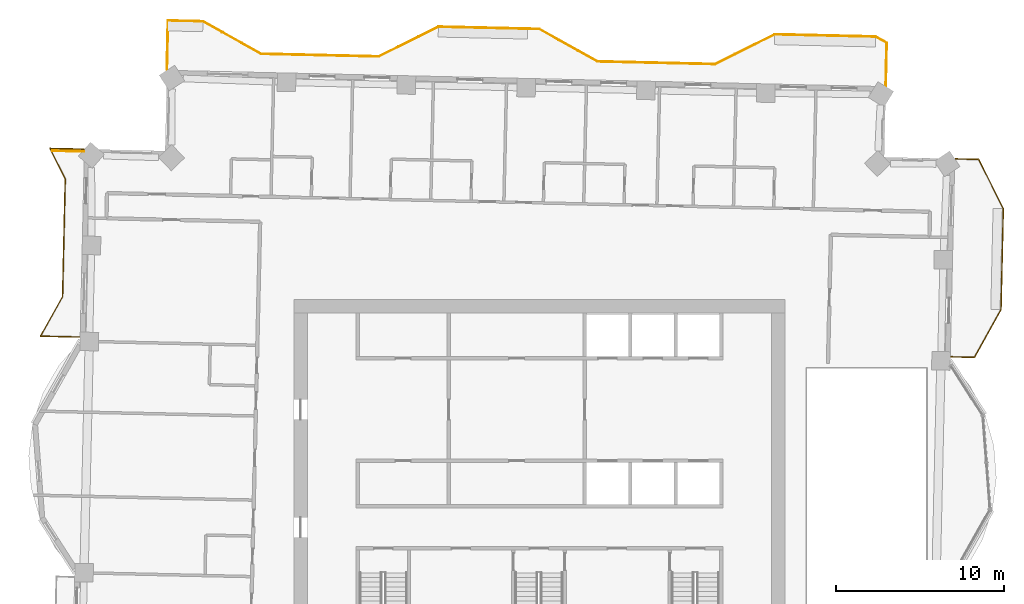
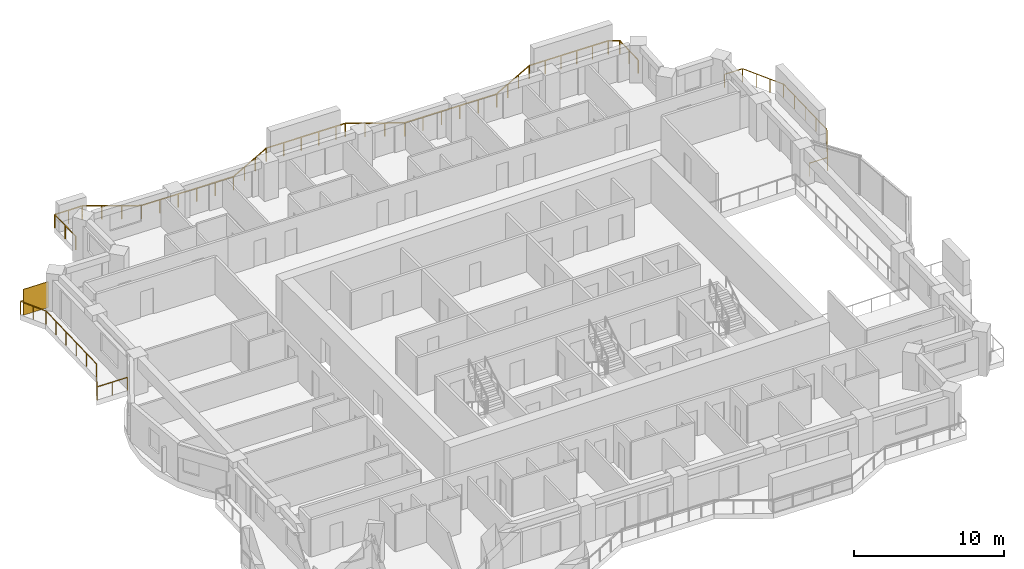
# One storey, part 14 of 14: 3 railings, 1 shading device.
"""IFC4 building model written with IfcOpenShell, lengths in metres."""

from ifc_helpers import new_model, si_unit, direction, frame, origin, origin_2d, place, context, subcontext, project, spatial, rectangle, extrude, material, type_object, element, save


model = new_model("IFC4")

# Units and contexts
model_context = context("Model", 3, precision=1e-05, world=origin(), true_north=direction((0.0, 1.0)))
body_context = subcontext(model_context, "Body", "Model", "MODEL_VIEW")
ifc_project = project(units=[si_unit("LENGTHUNIT", "METRE"), si_unit("AREAUNIT", "SQUARE_METRE"), si_unit("VOLUMEUNIT", "CUBIC_METRE"), si_unit("PLANEANGLEUNIT", "RADIAN"), si_unit("MASSUNIT", "GRAM", prefix="KILO")], contexts=[model_context])

# Site, building, storey
site_placement = place(None, origin())
site = spatial("IfcSite", under=ifc_project, at=site_placement, CompositionType="ELEMENT")
building_placement = place(site_placement, origin())
building = spatial("IfcBuilding", under=site, at=building_placement, Name="Mangrove Gate Tower", CompositionType="ELEMENT")
storey_placement = place(building_placement, frame((0.0, 0.0, 208.699951171875)))
storey = spatial("IfcBuildingStorey", under=building, at=storey_placement, Name="L53", CompositionType="ELEMENT", Elevation=208.699951171875)

# Railings
ifc_material_1 = material(Name="Stainless steel grade 316 with laminated glass infill", Category="steel")
railing_type = type_object("IfcRailingType", Name="Balcony guard 1100", PredefinedType="GUARDRAIL", material=ifc_material_1)
railing_1_placement = place(storey_placement, frame((24.467041015625, 8.18603515625, 0.0)))
element("IfcRailing", 1, at=railing_1_placement, inside=storey, type_object=railing_type, Name="GUARD L53 E2", PredefinedType="GUARDRAIL", context=body_context, shape_type="SweptSolid", body=[
    extrude(rectangle(XDim=0.048095703125, YDim=0.048095703125, at=origin_2d()), frame((0.0, 0.0, 1.076171875), z_axis=(0.999735358589, -0.023004625325, 0.0), x_axis=(0.023004625325, 0.999735358589, 0.0)), (0.0, 0.0, 1.0), 1.390380859375),
    extrude(rectangle(XDim=0.048095703125, YDim=0.048095703125, at=origin_2d()), frame((1.389892578125, -0.031982421875, 1.076171875), z_axis=(0.487121176966, 0.873334391256, 0.0), x_axis=(-0.873334391256, 0.487121176966, 0.0)), (0.0, 0.0, 1.0), 3.251708984375),
    extrude(rectangle(XDim=0.048095703125, YDim=0.048095703125, at=origin_2d()), frame((2.973876953125, 2.807861328125, 1.076171875), z_axis=(0.022828630714, 0.999739392852, 0.0), x_axis=(-0.999739392852, 0.022828630714, 0.0)), (0.0, 0.0, 1.0), 5.99951171875),
    extrude(rectangle(XDim=0.048095703125, YDim=0.048095703125, at=origin_2d()), frame((3.11083984375, 8.805908203125, 1.076171875), z_axis=(-0.447154053357, 0.894456959594, 0.0), x_axis=(-0.894456959594, -0.447154053357, 0.0)), (0.0, 0.0, 1.0), 3.2802734375),
    extrude(rectangle(XDim=0.048095703125, YDim=0.048095703125, at=origin_2d()), frame((1.64404296875, 11.739990234375, 1.076171875), z_axis=(-0.999746662088, 0.022508035115, 0.0), x_axis=(-0.022508035115, -0.999746662088, 0.0)), (0.0, 0.0, 1.0), 1.37744140625),
    extrude(rectangle(XDim=0.0419921875, YDim=0.0419921875, at=origin_2d()), origin(), (0.0, 0.0, 1.0), 1.052001953125),
    extrude(rectangle(XDim=0.0419921875, YDim=0.0419921875, at=origin_2d()), frame((1.389892578125, -0.031982421875, 0.0)), (0.0, 0.0, 1.0), 1.052001953125),
    extrude(rectangle(XDim=0.0419921875, YDim=0.0419921875, at=origin_2d()), frame((1.91796875, 0.91455078125, 0.0)), (0.0, 0.0, 1.0), 1.052001953125),
    extrude(rectangle(XDim=0.0419921875, YDim=0.0419921875, at=origin_2d()), frame((2.44580078125, 1.861328125, 0.0)), (0.0, 0.0, 1.0), 1.052001953125),
    extrude(rectangle(XDim=0.0419921875, YDim=0.0419921875, at=origin_2d()), frame((2.973876953125, 2.807861328125, 0.0)), (0.0, 0.0, 1.0), 1.052001953125),
    extrude(rectangle(XDim=0.0419921875, YDim=0.0419921875, at=origin_2d()), frame((3.008056640625, 4.307373046875, 0.0)), (0.0, 0.0, 1.0), 1.052001953125),
    extrude(rectangle(XDim=0.0419921875, YDim=0.0419921875, at=origin_2d()), frame((3.04248046875, 5.806884765625, 0.0)), (0.0, 0.0, 1.0), 1.052001953125),
    extrude(rectangle(XDim=0.0419921875, YDim=0.0419921875, at=origin_2d()), frame((3.07666015625, 7.306396484375, 0.0)), (0.0, 0.0, 1.0), 1.052001953125),
    extrude(rectangle(XDim=0.0419921875, YDim=0.0419921875, at=origin_2d()), frame((3.11083984375, 8.805908203125, 0.0)), (0.0, 0.0, 1.0), 1.052001953125),
    extrude(rectangle(XDim=0.0419921875, YDim=0.0419921875, at=origin_2d()), frame((2.621826171875, 9.783935546875, 0.0)), (0.0, 0.0, 1.0), 1.052001953125),
    extrude(rectangle(XDim=0.0419921875, YDim=0.0419921875, at=origin_2d()), frame((2.133056640625, 10.761962890625, 0.0)), (0.0, 0.0, 1.0), 1.052001953125),
    extrude(rectangle(XDim=0.0419921875, YDim=0.0419921875, at=origin_2d()), frame((1.64404296875, 11.739990234375, 0.0)), (0.0, 0.0, 1.0), 1.052001953125),
    extrude(rectangle(XDim=0.0419921875, YDim=0.0419921875, at=origin_2d()), frame((0.266845703125, 11.77099609375, 0.0)), (0.0, 0.0, 1.0), 1.052001953125),
])
railing_2_placement = place(storey_placement, frame((20.591064453125, 24.2919921875, 0.0)))
element("IfcRailing", 2, at=railing_2_placement, inside=storey, type_object=railing_type, Name="GUARD L53 N1", PredefinedType="GUARDRAIL", context=body_context, shape_type="SweptSolid", body=[
    extrude(rectangle(XDim=0.048095703125, YDim=0.048095703125, at=origin_2d()), frame((0.0, 0.0, 1.076171875), z_axis=(0.022649765825, 0.999743461148, 0.0), x_axis=(-0.999743461148, 0.022649765825, 0.0)), (0.0, 0.0, 1.0), 2.5546875),
    extrude(rectangle(XDim=0.048095703125, YDim=0.048095703125, at=origin_2d()), frame((0.057861328125, 2.553955078125, 1.076171875), z_axis=(-0.872560814271, 0.488505501912, 0.0), x_axis=(-0.488505501912, -0.872560814271, 0.0)), (0.0, 0.0, 1.0), 0.759765625),
    extrude(rectangle(XDim=0.048095703125, YDim=0.048095703125, at=origin_2d()), frame((-0.60498046875, 2.925048828125, 1.076171875), z_axis=(-0.999743178102, 0.022662255828, 0.0), x_axis=(-0.022662255828, -0.999743178102, 0.0)), (0.0, 0.0, 1.0), 6.00048828125),
    extrude(rectangle(XDim=0.048095703125, YDim=0.048095703125, at=origin_2d()), frame((-6.60400390625, 3.06103515625, 1.076171875), z_axis=(-0.894476522376, -0.447114919141, 0.0), x_axis=(0.447114919141, -0.894476522376, 0.0)), (0.0, 0.0, 1.0), 3.958740234375),
    extrude(rectangle(XDim=0.048095703125, YDim=0.048095703125, at=origin_2d()), frame((-10.14501953125, 1.291015625, 1.076171875), z_axis=(-0.999742195543, 0.022705559911, 0.0), x_axis=(-0.022705559911, -0.999742195543, 0.0)), (0.0, 0.0, 1.0), 6.999755859375),
    extrude(rectangle(XDim=0.048095703125, YDim=0.048095703125, at=origin_2d()), frame((-17.14306640625, 1.449951171875, 1.076171875), z_axis=(-0.87325689943, 0.48726008209, 0.0), x_axis=(-0.48726008209, -0.87325689943, 0.0)), (0.0, 0.0, 1.0), 3.958740234375),
    extrude(rectangle(XDim=0.048095703125, YDim=0.048095703125, at=origin_2d()), frame((-20.60009765625, 3.37890625, 1.076171875), z_axis=(-0.999766253184, 0.02162033753, 0.0), x_axis=(-0.02162033753, -0.999766253184, 0.0)), (0.0, 0.0, 1.0), 0.7001953125),
    extrude(rectangle(XDim=0.048095703125, YDim=0.048095703125, at=origin_2d()), frame((-21.300048828125, 3.39404296875, 1.076171875), z_axis=(-0.999740049023, 0.022799876723, 0.0), x_axis=(-0.022799876723, -0.999740049023, 0.0)), (0.0, 0.0, 1.0), 5.300537109375),
    extrude(rectangle(XDim=0.048095703125, YDim=0.048095703125, at=origin_2d()), frame((-26.59912109375, 3.514892578125, 1.076171875), z_axis=(-0.894501186021, -0.447065574839, 0.0), x_axis=(0.447065574839, -0.894501186021, 0.0)), (0.0, 0.0, 1.0), 3.958740234375),
    extrude(rectangle(XDim=0.048095703125, YDim=0.048095703125, at=origin_2d()), frame((-30.14013671875, 1.7451171875, 1.076171875), z_axis=(-0.999745352708, 0.022566119286, 0.0), x_axis=(-0.022566119286, -0.999745352708, 0.0)), (0.0, 0.0, 1.0), 6.999755859375),
    extrude(rectangle(XDim=0.048095703125, YDim=0.048095703125, at=origin_2d()), frame((-37.13818359375, 1.903076171875, 1.076171875), z_axis=(-0.873242256246, 0.487286324359, 0.0), x_axis=(-0.487286324359, -0.873242256246, 0.0)), (0.0, 0.0, 1.0), 3.95849609375),
    extrude(rectangle(XDim=0.048095703125, YDim=0.048095703125, at=origin_2d()), frame((-40.594970703125, 3.83203125, 1.076171875), z_axis=(-0.999744201853, 0.022617048045, 0.0), x_axis=(-0.022617048045, -0.999744201853, 0.0)), (0.0, 0.0, 1.0), 2.072509765625),
    extrude(rectangle(XDim=0.048095703125, YDim=0.048095703125, at=origin_2d()), frame((-42.6669921875, 3.87890625, 1.076171875), z_axis=(-0.022403104328, -0.999749018963, 0.0), x_axis=(0.999749018963, -0.022403104328, 0.0)), (0.0, 0.0, 1.0), 2.90966796875),
    extrude(rectangle(XDim=0.0419921875, YDim=0.0419921875, at=origin_2d()), origin(), (0.0, 0.0, 1.0), 1.052001953125),
    extrude(rectangle(XDim=0.0419921875, YDim=0.0419921875, at=origin_2d()), frame((0.02880859375, 1.27685546875, 0.0)), (0.0, 0.0, 1.0), 1.052001953125),
    extrude(rectangle(XDim=0.0419921875, YDim=0.0419921875, at=origin_2d()), frame((0.057861328125, 2.553955078125, 0.0)), (0.0, 0.0, 1.0), 1.052001953125),
    extrude(rectangle(XDim=0.0419921875, YDim=0.0419921875, at=origin_2d()), frame((-0.60498046875, 2.925048828125, 0.0)), (0.0, 0.0, 1.0), 1.052001953125),
    extrude(rectangle(XDim=0.0419921875, YDim=0.0419921875, at=origin_2d()), frame((-1.8046875, 2.9521484375, 0.0)), (0.0, 0.0, 1.0), 1.052001953125),
    extrude(rectangle(XDim=0.0419921875, YDim=0.0419921875, at=origin_2d()), frame((-3.004638671875, 2.9794921875, 0.0)), (0.0, 0.0, 1.0), 1.052001953125),
    extrude(rectangle(XDim=0.0419921875, YDim=0.0419921875, at=origin_2d()), frame((-4.204345703125, 3.006591796875, 0.0)), (0.0, 0.0, 1.0), 1.052001953125),
    extrude(rectangle(XDim=0.0419921875, YDim=0.0419921875, at=origin_2d()), frame((-5.404296875, 3.033935546875, 0.0)), (0.0, 0.0, 1.0), 1.052001953125),
    extrude(rectangle(XDim=0.0419921875, YDim=0.0419921875, at=origin_2d()), frame((-6.60400390625, 3.06103515625, 0.0)), (0.0, 0.0, 1.0), 1.052001953125),
    extrude(rectangle(XDim=0.0419921875, YDim=0.0419921875, at=origin_2d()), frame((-7.784423828125, 2.470947265625, 0.0)), (0.0, 0.0, 1.0), 1.052001953125),
    extrude(rectangle(XDim=0.0419921875, YDim=0.0419921875, at=origin_2d()), frame((-8.964599609375, 1.881103515625, 0.0)), (0.0, 0.0, 1.0), 1.052001953125),
    extrude(rectangle(XDim=0.0419921875, YDim=0.0419921875, at=origin_2d()), frame((-10.14501953125, 1.291015625, 0.0)), (0.0, 0.0, 1.0), 1.052001953125),
    extrude(rectangle(XDim=0.0419921875, YDim=0.0419921875, at=origin_2d()), frame((-11.544677734375, 1.32275390625, 0.0)), (0.0, 0.0, 1.0), 1.052001953125),
    extrude(rectangle(XDim=0.0419921875, YDim=0.0419921875, at=origin_2d()), frame((-12.9443359375, 1.3544921875, 0.0)), (0.0, 0.0, 1.0), 1.052001953125),
    extrude(rectangle(XDim=0.0419921875, YDim=0.0419921875, at=origin_2d()), frame((-14.34375, 1.386474609375, 0.0)), (0.0, 0.0, 1.0), 1.052001953125),
    extrude(rectangle(XDim=0.0419921875, YDim=0.0419921875, at=origin_2d()), frame((-15.743408203125, 1.418212890625, 0.0)), (0.0, 0.0, 1.0), 1.052001953125),
    extrude(rectangle(XDim=0.0419921875, YDim=0.0419921875, at=origin_2d()), frame((-17.14306640625, 1.449951171875, 0.0)), (0.0, 0.0, 1.0), 1.052001953125),
    extrude(rectangle(XDim=0.0419921875, YDim=0.0419921875, at=origin_2d()), frame((-18.29541015625, 2.093017578125, 0.0)), (0.0, 0.0, 1.0), 1.052001953125),
    extrude(rectangle(XDim=0.0419921875, YDim=0.0419921875, at=origin_2d()), frame((-19.44775390625, 2.73583984375, 0.0)), (0.0, 0.0, 1.0), 1.052001953125),
    extrude(rectangle(XDim=0.0419921875, YDim=0.0419921875, at=origin_2d()), frame((-20.60009765625, 3.37890625, 0.0)), (0.0, 0.0, 1.0), 1.052001953125),
    extrude(rectangle(XDim=0.0419921875, YDim=0.0419921875, at=origin_2d()), frame((-21.300048828125, 3.39404296875, 0.0)), (0.0, 0.0, 1.0), 1.052001953125),
    extrude(rectangle(XDim=0.0419921875, YDim=0.0419921875, at=origin_2d()), frame((-22.624755859375, 3.42431640625, 0.0)), (0.0, 0.0, 1.0), 1.052001953125),
    extrude(rectangle(XDim=0.0419921875, YDim=0.0419921875, at=origin_2d()), frame((-23.94970703125, 3.45458984375, 0.0)), (0.0, 0.0, 1.0), 1.052001953125),
    extrude(rectangle(XDim=0.0419921875, YDim=0.0419921875, at=origin_2d()), frame((-25.2744140625, 3.484619140625, 0.0)), (0.0, 0.0, 1.0), 1.052001953125),
    extrude(rectangle(XDim=0.0419921875, YDim=0.0419921875, at=origin_2d()), frame((-26.59912109375, 3.514892578125, 0.0)), (0.0, 0.0, 1.0), 1.052001953125),
    extrude(rectangle(XDim=0.0419921875, YDim=0.0419921875, at=origin_2d()), frame((-27.779541015625, 2.925048828125, 0.0)), (0.0, 0.0, 1.0), 1.052001953125),
    extrude(rectangle(XDim=0.0419921875, YDim=0.0419921875, at=origin_2d()), frame((-28.959716796875, 2.3349609375, 0.0)), (0.0, 0.0, 1.0), 1.052001953125),
    extrude(rectangle(XDim=0.0419921875, YDim=0.0419921875, at=origin_2d()), frame((-30.14013671875, 1.7451171875, 0.0)), (0.0, 0.0, 1.0), 1.052001953125),
    extrude(rectangle(XDim=0.0419921875, YDim=0.0419921875, at=origin_2d()), frame((-31.539794921875, 1.776611328125, 0.0)), (0.0, 0.0, 1.0), 1.052001953125),
    extrude(rectangle(XDim=0.0419921875, YDim=0.0419921875, at=origin_2d()), frame((-32.939453125, 1.808349609375, 0.0)), (0.0, 0.0, 1.0), 1.052001953125),
    extrude(rectangle(XDim=0.0419921875, YDim=0.0419921875, at=origin_2d()), frame((-34.3388671875, 1.83984375, 0.0)), (0.0, 0.0, 1.0), 1.052001953125),
    extrude(rectangle(XDim=0.0419921875, YDim=0.0419921875, at=origin_2d()), frame((-35.738525390625, 1.87158203125, 0.0)), (0.0, 0.0, 1.0), 1.052001953125),
    extrude(rectangle(XDim=0.0419921875, YDim=0.0419921875, at=origin_2d()), frame((-37.13818359375, 1.903076171875, 0.0)), (0.0, 0.0, 1.0), 1.052001953125),
    extrude(rectangle(XDim=0.0419921875, YDim=0.0419921875, at=origin_2d()), frame((-38.29052734375, 2.546142578125, 0.0)), (0.0, 0.0, 1.0), 1.052001953125),
    extrude(rectangle(XDim=0.0419921875, YDim=0.0419921875, at=origin_2d()), frame((-39.442626953125, 3.18896484375, 0.0)), (0.0, 0.0, 1.0), 1.052001953125),
    extrude(rectangle(XDim=0.0419921875, YDim=0.0419921875, at=origin_2d()), frame((-40.594970703125, 3.83203125, 0.0)), (0.0, 0.0, 1.0), 1.052001953125),
    extrude(rectangle(XDim=0.0419921875, YDim=0.0419921875, at=origin_2d()), frame((-41.630859375, 3.85546875, 0.0)), (0.0, 0.0, 1.0), 1.052001953125),
    extrude(rectangle(XDim=0.0419921875, YDim=0.0419921875, at=origin_2d()), frame((-42.6669921875, 3.87890625, 0.0)), (0.0, 0.0, 1.0), 1.052001953125),
    extrude(rectangle(XDim=0.0419921875, YDim=0.0419921875, at=origin_2d()), frame((-42.69970703125, 2.42431640625, 0.0)), (0.0, 0.0, 1.0), 1.052001953125),
    extrude(rectangle(XDim=0.0419921875, YDim=0.0419921875, at=origin_2d()), frame((-42.732177734375, 0.969970703125, 0.0)), (0.0, 0.0, 1.0), 1.052001953125),
])
railing_3_placement = place(storey_placement, frame((-27.090087890625, 20.532958984375, 0.0)))
element("IfcRailing", 3, at=railing_3_placement, inside=storey, type_object=railing_type, Name="GUARD L53 W1", PredefinedType="GUARDRAIL", context=body_context, shape_type="SweptSolid", body=[
    extrude(rectangle(XDim=0.048095703125, YDim=0.048095703125, at=origin_2d()), frame((0.0, 0.0, 1.076171875), z_axis=(-0.999736861718, 0.022939209283, 0.0), x_axis=(-0.022939209283, -0.999736861718, 0.0)), (0.0, 0.0, 1.0), 2.011474609375),
    extrude(rectangle(XDim=0.048095703125, YDim=0.048095703125, at=origin_2d()), frame((-2.010986328125, 0.046142578125, 1.076171875), z_axis=(0.447069683161, -0.894499132698, 0.0), x_axis=(0.894499132698, 0.447069683161, 0.0)), (0.0, 0.0, 1.0), 2.035888671875),
    extrude(rectangle(XDim=0.048095703125, YDim=0.048095703125, at=origin_2d()), frame((-1.100830078125, -1.77490234375, 1.076171875), z_axis=(-0.022737248567, -0.999741475346, 0.0), x_axis=(0.999741475346, -0.022737248567, 0.0)), (0.0, 0.0, 1.0), 7.000732421875),
    extrude(rectangle(XDim=0.048095703125, YDim=0.048095703125, at=origin_2d()), frame((-1.260009765625, -8.77392578125, 1.076171875), z_axis=(-0.487093655778, -0.873349741227, 0.0), x_axis=(0.873349741227, -0.487093655778, 0.0)), (0.0, 0.0, 1.0), 2.68505859375),
    extrude(rectangle(XDim=0.048095703125, YDim=0.048095703125, at=origin_2d()), frame((-2.56787109375, -11.118896484375, 1.076171875), z_axis=(0.999738009607, -0.022889127251, 0.0), x_axis=(0.022889127251, 0.999738009607, 0.0)), (0.0, 0.0, 1.0), 2.314453125),
    extrude(rectangle(XDim=0.0419921875, YDim=0.0419921875, at=origin_2d()), origin(), (0.0, 0.0, 1.0), 1.052001953125),
    extrude(rectangle(XDim=0.0419921875, YDim=0.0419921875, at=origin_2d()), frame((-1.00537109375, 0.02294921875, 0.0)), (0.0, 0.0, 1.0), 1.052001953125),
    extrude(rectangle(XDim=0.0419921875, YDim=0.0419921875, at=origin_2d()), frame((-2.010986328125, 0.046142578125, 0.0)), (0.0, 0.0, 1.0), 1.052001953125),
    extrude(rectangle(XDim=0.0419921875, YDim=0.0419921875, at=origin_2d()), frame((-1.555908203125, -0.8642578125, 0.0)), (0.0, 0.0, 1.0), 1.052001953125),
    extrude(rectangle(XDim=0.0419921875, YDim=0.0419921875, at=origin_2d()), frame((-1.100830078125, -1.77490234375, 0.0)), (0.0, 0.0, 1.0), 1.052001953125),
    extrude(rectangle(XDim=0.0419921875, YDim=0.0419921875, at=origin_2d()), frame((-1.132568359375, -3.1748046875, 0.0)), (0.0, 0.0, 1.0), 1.052001953125),
    extrude(rectangle(XDim=0.0419921875, YDim=0.0419921875, at=origin_2d()), frame((-1.16455078125, -4.574462890625, 0.0)), (0.0, 0.0, 1.0), 1.052001953125),
    extrude(rectangle(XDim=0.0419921875, YDim=0.0419921875, at=origin_2d()), frame((-1.1962890625, -5.974365234375, 0.0)), (0.0, 0.0, 1.0), 1.052001953125),
    extrude(rectangle(XDim=0.0419921875, YDim=0.0419921875, at=origin_2d()), frame((-1.228271484375, -7.3740234375, 0.0)), (0.0, 0.0, 1.0), 1.052001953125),
    extrude(rectangle(XDim=0.0419921875, YDim=0.0419921875, at=origin_2d()), frame((-1.260009765625, -8.77392578125, 0.0)), (0.0, 0.0, 1.0), 1.052001953125),
    extrude(rectangle(XDim=0.0419921875, YDim=0.0419921875, at=origin_2d()), frame((-1.9140625, -9.9462890625, 0.0)), (0.0, 0.0, 1.0), 1.052001953125),
    extrude(rectangle(XDim=0.0419921875, YDim=0.0419921875, at=origin_2d()), frame((-2.56787109375, -11.118896484375, 0.0)), (0.0, 0.0, 1.0), 1.052001953125),
    extrude(rectangle(XDim=0.0419921875, YDim=0.0419921875, at=origin_2d()), frame((-1.410888671875, -11.1455078125, 0.0)), (0.0, 0.0, 1.0), 1.052001953125),
    extrude(rectangle(XDim=0.0419921875, YDim=0.0419921875, at=origin_2d()), frame((-0.25390625, -11.171875, 0.0)), (0.0, 0.0, 1.0), 1.052001953125),
])

# Shading device
ifc_material_2 = material(Name="Timber slat screen in teak", Category="wood")
shading_device_type = type_object("IfcShadingDeviceType", Name="Balcony screen 2100", PredefinedType="USERDEFINED", material=ifc_material_2)
shading_device_placement = place(storey_placement, frame((-28.01904296875, 20.4140625, 0.0), z_axis=(0.0, 0.0, 1.0), x_axis=(-0.999736635532, 0.022949064795, 0.0)))
element("IfcShadingDevice", 4, at=shading_device_placement, inside=storey, type_object=shading_device_type, Name="SCREEN L53 W0", ObjectType="SCREEN", PredefinedType="USERDEFINED", context=body_context, shape_type="SweptSolid", body=[
    extrude(rectangle(XDim=1.89208984375, YDim=0.050048828125, at=origin_2d()), origin(), (0.0, 0.0, 1.0), 2.10009765625),
])

save(model, "model.ifc")
